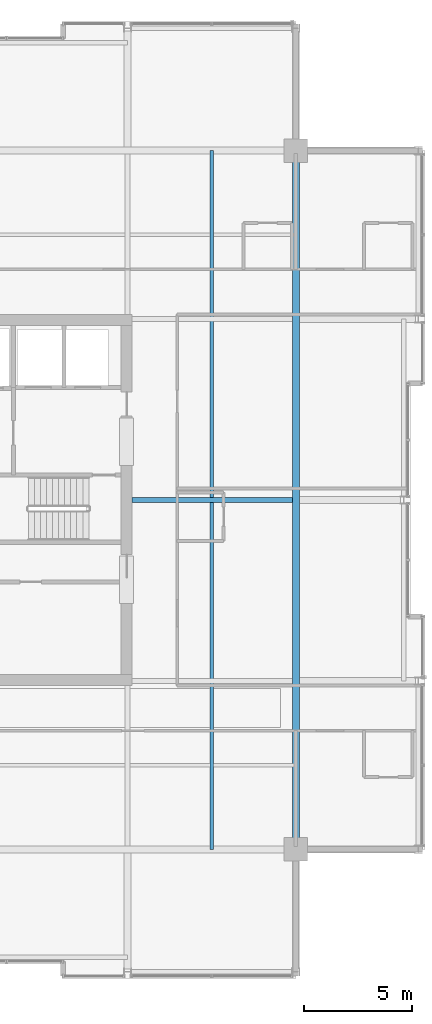
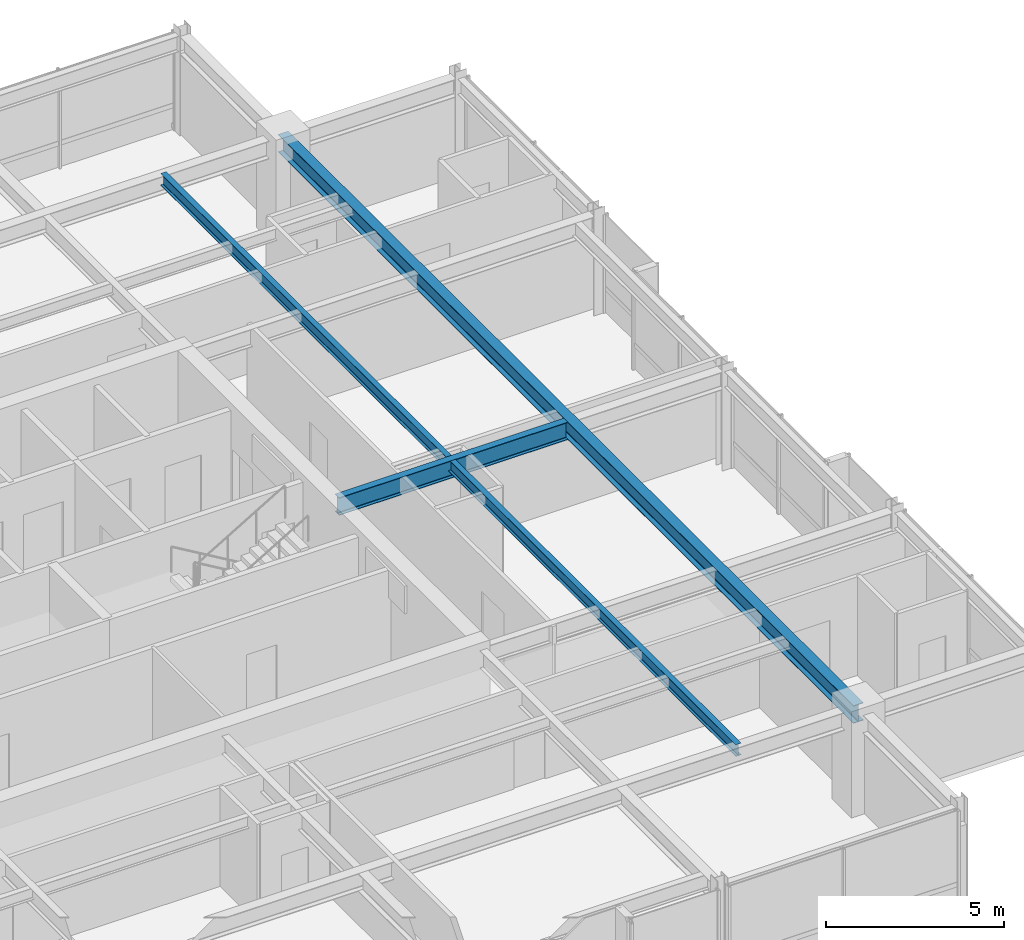
# One storey, part 17 of 33: 3 beams.
"""IFC4 building model written with IfcOpenShell, lengths in metres."""

from ifc_helpers import new_model, si_unit, direction, frame, origin, origin_2d, place, context, subcontext, project, spatial, i_section, extrude, material, material_profile, profile_set, type_object, element, save


model = new_model("IFC4")

# Units and contexts
model_context = context("Model", 3, precision=1e-05, world=origin(), true_north=direction((0.0, 1.0)))
body_context = subcontext(model_context, "Body", "Model", "MODEL_VIEW")
ifc_project = project(units=[si_unit("LENGTHUNIT", "METRE"), si_unit("AREAUNIT", "SQUARE_METRE"), si_unit("VOLUMEUNIT", "CUBIC_METRE"), si_unit("PLANEANGLEUNIT", "RADIAN"), si_unit("MASSUNIT", "GRAM", prefix="KILO")], contexts=[model_context])

# Site, building, storey
site_placement = place(None, origin())
site = spatial("IfcSite", under=ifc_project, at=site_placement, CompositionType="ELEMENT")
building_placement = place(site_placement, origin())
building = spatial("IfcBuilding", under=site, at=building_placement, Name="Drelvath Grand Hotel", CompositionType="ELEMENT")
storey_placement = place(building_placement, frame((0.0, 0.0, 283.25)))
storey = spatial("IfcBuildingStorey", under=building, at=storey_placement, Name="L74", CompositionType="ELEMENT", Elevation=283.25)

# Beams
ifc_material = material(Name="Steel ASTM A992 Gr 50", Category="steel")
ifc_material_profile_1 = material_profile(ifc_material, i_section(OverallWidth=0.177734375, OverallDepth=0.40673828125, WebThickness=0.0078125, FlangeThickness=0.0126953125, FilletRadius=0.014892578125, at=origin_2d()), Name="W16X40")
ifc_profile_set_1 = profile_set([ifc_material_profile_1], Name="Steel ASTM A992 Gr 50")
beam_type_1 = type_object("IfcBeamType", Name="Composite Floor Joist W16X40", PredefinedType="JOIST", material=ifc_profile_set_1)
beam_1_placement = place(storey_placement, frame((12.300048828125, 10.800048828125, 3.1865234375), z_axis=(0.0, 1.0, 0.0), x_axis=(-1.0, 0.0, 0.0)))
element("IfcBeam", 1, at=beam_1_placement, inside=storey, type_object=beam_type_1, Name="L74 Wing Floor Joist J4", PredefinedType="JOIST", context=body_context, shape_type="SweptSolid", body=[
    extrude(i_section(OverallWidth=0.177734375, OverallDepth=0.40673828125, WebThickness=0.0078125, FlangeThickness=0.0126953125, FilletRadius=0.014892578125, at=origin_2d()), origin(), (0.0, 0.0, 1.0), 32.39990234375),
])
ifc_material_profile_2 = material_profile(ifc_material, i_section(OverallWidth=0.323974609375, OverallDepth=0.611083984375, WebThickness=0.0126953125, FlangeThickness=0.01904296875, FilletRadius=0.02197265625, at=origin_2d()), Name="W24X104")
ifc_profile_set_2 = profile_set([ifc_material_profile_2], Name="Steel ASTM A992 Gr 50")
beam_type_2 = type_object("IfcBeamType", Name="Primary Floor Girder W24X104", PredefinedType="BEAM", material=ifc_profile_set_2)
beam_2_placement = place(storey_placement, frame((16.199951171875, 10.800048828125, 3.08447265625), z_axis=(0.0, 1.0, 0.0), x_axis=(-1.0, 0.0, 0.0)))
element("IfcBeam", 2, at=beam_2_placement, inside=storey, type_object=beam_type_2, Name="L74 Mega Ring Girder East", PredefinedType="BEAM", context=body_context, shape_type="SweptSolid", body=[
    extrude(i_section(OverallWidth=0.323974609375, OverallDepth=0.611083984375, WebThickness=0.0126953125, FlangeThickness=0.01904296875, FilletRadius=0.02197265625, at=origin_2d()), origin(), (0.0, 0.0, 1.0), 32.39990234375),
])
ifc_material_profile_3 = material_profile(ifc_material, i_section(OverallWidth=0.228271484375, OverallDepth=0.607666015625, WebThickness=0.01123046875, FlangeThickness=0.017333984375, FilletRadius=0.02001953125, at=origin_2d()), Name="W24X76")
ifc_profile_set_3 = profile_set([ifc_material_profile_3], Name="Steel ASTM A992 Gr 50")
beam_type_3 = type_object("IfcBeamType", Name="Primary Floor Girder W24X76", PredefinedType="BEAM", material=ifc_profile_set_3)
beam_3_placement = place(storey_placement, frame((8.60009765625, 27.0, 3.086181640625), z_axis=(1.0, 0.0, 0.0), x_axis=(0.0, 1.0, 0.0)))
element("IfcBeam", 3, at=beam_3_placement, inside=storey, type_object=beam_type_3, Name="L74 East Core Tie E", PredefinedType="BEAM", context=body_context, shape_type="SweptSolid", body=[
    extrude(i_section(OverallWidth=0.228271484375, OverallDepth=0.607666015625, WebThickness=0.01123046875, FlangeThickness=0.017333984375, FilletRadius=0.02001953125, at=origin_2d()), origin(), (0.0, 0.0, 1.0), 7.43798828125),
])

save(model, "model.ifc")
